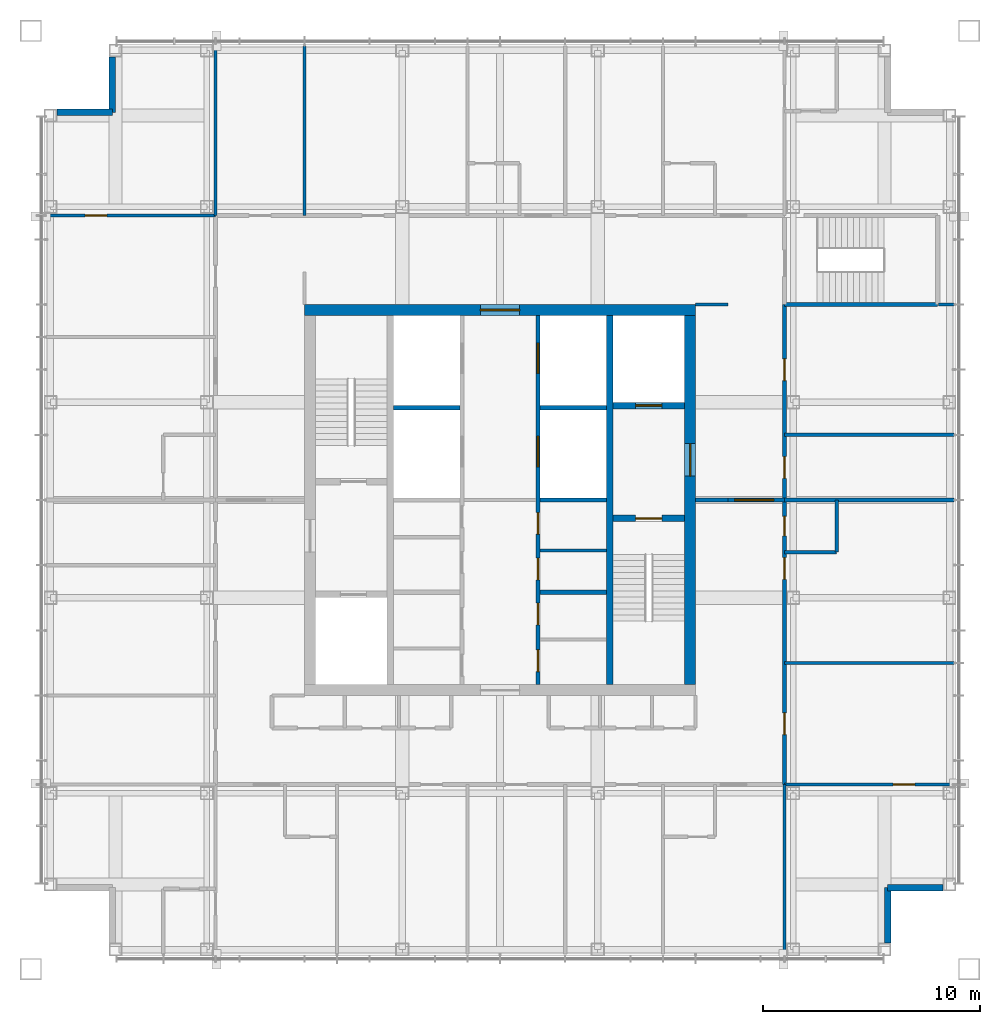
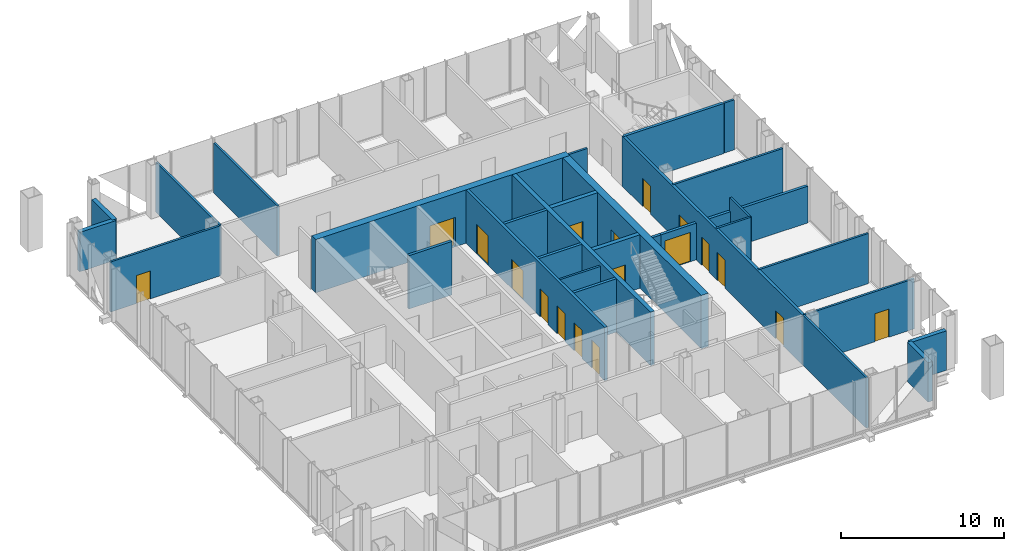
# One storey, part 9 of 11: 31 walls, 18 doors, 18 openings.
"""IFC4 building model written with IfcOpenShell, lengths in metres."""

import ifcopenshell
import ifcopenshell.guid

model = None  # the IFC model being written
_history = None  # IfcOwnerHistory: only IFC2X3 demands one
_inside = {}  # id of a spatial element -> (the spatial element, [elements in it])
_under = {}  # id of a project, library or spatial element -> (it, [spatial elements below it])
_declared = {}  # id of a project -> (the project, [libraries it declares])
_typed = {}  # id of a type object -> (the type object, [elements of that type])
_made_of = {}  # id of a material, layer set ... -> (it, [elements and type objects made of it])


def new_model(schema):
    """Start an empty IFC model of exactly this schema.

    Asked for "IFC4X3", IfcOpenShell would pick the latest addendum, in which some entities
    have other attributes; the version numbers below select the first issue.
    IFC2X3 requires an IfcOwnerHistory on every rooted entity: one is made here for all.
    """
    global model, _history
    if schema == "IFC4X3":
        model = ifcopenshell.file(schema_version=(4, 3, 0, 0))
    else:
        model = ifcopenshell.file(schema=schema)
    _inside.clear()
    _under.clear()
    _declared.clear()
    _typed.clear()
    _made_of.clear()
    _history = None
    if model.schema == "IFC2X3":
        org = make("IfcOrganization", Name="unknown")
        user = make(
            "IfcPersonAndOrganization",
            ThePerson=make("IfcPerson", FamilyName="unknown"),
            TheOrganization=org,
        )
        app = make(
            "IfcApplication",
            ApplicationDeveloper=org,
            Version="unknown",
            ApplicationFullName="unknown",
            ApplicationIdentifier="unknown",
        )
        _history = make(
            "IfcOwnerHistory",
            OwningUser=user,
            OwningApplication=app,
            ChangeAction="ADDED",
            CreationDate=0,
        )
    return model


def make(cls, **values):
    """One entity of the class cls with the attributes given. An attribute that is None is left unset."""
    return model.create_entity(
        cls, **{name: value for name, value in values.items() if value is not None}
    )


def rooted(cls, **values):
    """An entity with a GlobalId (a new one), such as an element, a storey or a relation."""
    return make(cls, GlobalId=ifcopenshell.guid.new(), OwnerHistory=_history, **values)


def si_unit(unit_type, name, prefix=None):
    """IfcSIUnit, for example si_unit("LENGTHUNIT", "METRE", prefix="MILLI")."""
    return make("IfcSIUnit", UnitType=unit_type, Prefix=prefix, Name=name)


def assignment(units):
    """IfcUnitAssignment: the units of a project."""
    return None if units is None else make("IfcUnitAssignment", Units=units)


def point(xyz):
    """IfcCartesianPoint."""
    return None if xyz is None else make("IfcCartesianPoint", Coordinates=xyz)


def direction(xyz):
    """IfcDirection."""
    return None if xyz is None else make("IfcDirection", DirectionRatios=xyz)


def frame(location, z_axis=None, x_axis=None):
    """IfcAxis2Placement3D, a coordinate frame: its origin and axes. An axis left out is left unset."""
    return make(
        "IfcAxis2Placement3D",
        Location=point(location),
        Axis=direction(z_axis),
        RefDirection=direction(x_axis),
    )


def frame_2d(location, x_axis=None):
    """IfcAxis2Placement2D, a coordinate frame in the plane: its origin and x axis."""
    return make(
        "IfcAxis2Placement2D", Location=point(location), RefDirection=direction(x_axis)
    )


def origin():
    """The frame at (0, 0, 0) with its axes left unset."""
    return frame((0.0, 0.0, 0.0))


def place(relative_to, where):
    """IfcLocalPlacement: puts the frame where relative to a parent placement (None: the world)."""
    return make(
        "IfcLocalPlacement", PlacementRelTo=relative_to, RelativePlacement=where
    )


def context(
    kind, dimensions, precision=None, world=None, true_north=None, identifier=None
):
    """IfcGeometricRepresentationContext, for example the 3D "Model" context."""
    return make(
        "IfcGeometricRepresentationContext",
        ContextIdentifier=identifier,
        ContextType=kind,
        CoordinateSpaceDimension=dimensions,
        Precision=precision,
        WorldCoordinateSystem=world,
        TrueNorth=true_north,
    )


def subcontext(parent, identifier, kind, view, scale=None):
    """IfcGeometricRepresentationSubContext, for example "Body" below "Model"."""
    return make(
        "IfcGeometricRepresentationSubContext",
        ContextIdentifier=identifier,
        ContextType=kind,
        ParentContext=parent,
        TargetScale=scale,
        TargetView=view,
    )


def project(units=None, contexts=None):
    """IfcProject with its units and contexts."""
    return rooted(
        "IfcProject",
        Name="project",
        RepresentationContexts=contexts,
        UnitsInContext=assignment(units),
    )


def spatial(cls, under=None, at=None, **own):
    """A site, building, storey or space (cls), placed at a placement, below another one or the project."""
    s = rooted(cls, ObjectPlacement=at, **own)
    if under is not None:
        _under.setdefault(under.id(), (under, []))[1].append(s)
    return s


def profile(cls, at=None, kind="AREA", **sizes):
    """A parametric profile (cls). Its sizes go by their IFC names, for example OverallWidth=200.0."""
    return make(cls, ProfileType=kind, Position=at, **sizes)


def rectangle(**sizes):
    """IfcRectangleProfileDef."""
    return profile("IfcRectangleProfileDef", **sizes)


def extrude(swept, where, along, depth):
    """IfcExtrudedAreaSolid: the profile swept, set in the frame where, extruded along a direction by depth."""
    return make(
        "IfcExtrudedAreaSolid",
        SweptArea=swept,
        Position=where,
        ExtrudedDirection=direction(along),
        Depth=depth,
    )


def shape(context_of_items, identifier, shape_type, items):
    """IfcShapeRepresentation: the items that make up one representation, for example the "Body"."""
    return make(
        "IfcShapeRepresentation",
        ContextOfItems=context_of_items,
        RepresentationIdentifier=identifier,
        RepresentationType=shape_type,
        Items=items,
    )


def material(Name=None, Category=None):
    """IfcMaterial."""
    return make("IfcMaterial", Name=Name, Category=Category)


def layer(
    of_material, thickness, ventilated=None, Name=None, Category=None, Priority=None
):
    """IfcMaterialLayer: one layer of a wall or slab, of a material (None: an air gap)."""
    return make(
        "IfcMaterialLayer",
        Material=of_material,
        LayerThickness=thickness,
        IsVentilated=ventilated,
        Name=Name,
        Category=Category,
        Priority=Priority,
    )


def layer_set(layers, Name=None):
    """IfcMaterialLayerSet."""
    return make("IfcMaterialLayerSet", MaterialLayers=layers, LayerSetName=Name)


def made_of(thing, what):
    """Note that an element or type object is made of a material, layer set ...; save() writes the relation."""
    if what is not None:
        _made_of.setdefault(what.id(), (what, []))[1].append(thing)
    return thing


def type_object(cls, material=None, **own):
    """A type object (cls), such as IfcWallType, which elements share."""
    return made_of(rooted(cls, **own), material)


def element(
    cls,
    number,
    at=None,
    inside=None,
    cuts=None,
    type_object=None,
    material=None,
    context=None,
    identifier="Body",
    shape_type=None,
    held_by="IfcProductDefinitionShape",
    body=None,
    shapes=None,
    **own,
):
    """One element of the class cls, such as IfcWall. Its Tag is "e" and its number.

    at: its placement. inside: the storey or other place that contains it. cuts: it is an
    opening in that element (IfcRelVoidsElement). A single representation is given by context,
    identifier, shape_type and body (its items); several are given by shapes. held_by: the class
    of the entity that holds the representations. save() writes the other relations.
    """
    e = rooted(cls, Tag="e%d" % number, ObjectPlacement=at, **own)
    if body is not None:
        shapes = [shape(context, identifier, shape_type, body)]
    if shapes is not None:
        e.Representation = make(held_by, Representations=shapes)
    if inside is not None:
        _inside.setdefault(inside.id(), (inside, []))[1].append(e)
    if cuts is not None:
        rooted(
            "IfcRelVoidsElement", RelatingBuildingElement=cuts, RelatedOpeningElement=e
        )
    if type_object is not None:
        _typed.setdefault(type_object.id(), (type_object, []))[1].append(e)
    return made_of(e, material)


def fill(opening, filler):
    """IfcRelFillsElement: the door or window that sits in an opening."""
    return rooted(
        "IfcRelFillsElement",
        RelatingOpeningElement=opening,
        RelatedBuildingElement=filler,
    )


def aggregate(whole, parts):
    """IfcRelAggregates: a whole, such as a stair, and the parts it consists of."""
    return rooted("IfcRelAggregates", RelatingObject=whole, RelatedObjects=parts)


def save(model, path):
    """Write the relations noted so far, then the file.

    IfcRelAggregates (storeys below a building ...), IfcRelContainedInSpatialStructure (elements
    in a storey), IfcRelDefinesByType, IfcRelAssociatesMaterial and IfcRelDeclares: one each for
    every whole, place, type object, material and project.
    """
    for whole, parts in _under.values():
        aggregate(whole, parts)
    for where, things in _inside.values():
        rooted(
            "IfcRelContainedInSpatialStructure",
            RelatedElements=things,
            RelatingStructure=where,
        )
    for kind, things in _typed.values():
        rooted("IfcRelDefinesByType", RelatedObjects=things, RelatingType=kind)
    for what, things in _made_of.values():
        rooted("IfcRelAssociatesMaterial", RelatedObjects=things, RelatingMaterial=what)
    for by, libraries in _declared.values():
        rooted("IfcRelDeclares", RelatingContext=by, RelatedDefinitions=libraries)
    model.write(path)


model = new_model("IFC4")

# Units and contexts
model_context = context("Model", 3, precision=1e-05, world=origin(), true_north=direction((0.0, 1.0)))
body_context = subcontext(model_context, "Body", "Model", "MODEL_VIEW")
ifc_project = project(units=[si_unit("LENGTHUNIT", "METRE"), si_unit("AREAUNIT", "SQUARE_METRE"), si_unit("VOLUMEUNIT", "CUBIC_METRE"), si_unit("PLANEANGLEUNIT", "RADIAN"), si_unit("MASSUNIT", "GRAM", prefix="KILO")], contexts=[model_context])

# Site, building, storey
site_placement = place(None, origin())
site = spatial("IfcSite", under=ifc_project, at=site_placement, CompositionType="ELEMENT")
building_placement = place(site_placement, origin())
building = spatial("IfcBuilding", under=site, at=building_placement, Name="Malebo Sky Hospital", CompositionType="ELEMENT")
storey_placement = place(building_placement, frame((0.0, 0.0, 282.0)))
storey = spatial("IfcBuildingStorey", under=building, at=storey_placement, Name="L68", CompositionType="ELEMENT", Elevation=282.0)

# Wall, openings, doors
ifc_material_1 = material(Name="Concrete C80/95", Category="concrete")
ifc_layer_1 = layer(ifc_material_1, 0.199951171875)
ifc_layer_set_1 = layer_set([ifc_layer_1], Name="CORE INNER WALL 200")
wall_type_1 = type_object("IfcWallType", Name="CORE INNER WALL 200", PredefinedType="SHEAR", material=ifc_layer_set_1)
wall_1_placement = place(storey_placement, frame((61.75, 53.5, 0.0), z_axis=(0.0, 0.0, 1.0), x_axis=(0.0, 1.0, 0.0)))
wall_1 = element("IfcWall", 1, at=wall_1_placement, inside=storey, type_object=wall_type_1, Name="Core wall LE L68", PredefinedType="SHEAR", context=body_context, shape_type="SweptSolid", body=[
    extrude(rectangle(XDim=17.0, YDim=0.199951171875, at=frame_2d((8.5, 0.0))), origin(), (0.0, 0.0, 1.0), 4.0),
])
opening_1_placement = place(wall_1_placement, frame((0.60009765625, 0.0, 0.0)))
opening_1 = element("IfcOpeningElement", 2, at=opening_1_placement, cuts=wall_1, Name="Opening D17", PredefinedType="OPENING", context=body_context, shape_type="SweptSolid", body=[
    extrude(rectangle(XDim=1.0, YDim=2.10009765625, at=frame_2d((0.5, 1.050048828125))), frame((0.0, 0.10986328125, 0.0), z_axis=(0.0, -1.0, 0.0), x_axis=(1.0, 0.0, 0.0)), (0.0, 0.0, 1.0), 0.219970703125),
])
opening_2_placement = place(wall_1_placement, frame((2.75, 0.0, 0.0)))
opening_2 = element("IfcOpeningElement", 3, at=opening_2_placement, cuts=wall_1, Name="Opening D17", PredefinedType="OPENING", context=body_context, shape_type="SweptSolid", body=[
    extrude(rectangle(XDim=1.0, YDim=2.10009765625, at=frame_2d((0.5, 1.050048828125))), frame((0.0, 0.10986328125, 0.0), z_axis=(0.0, -1.0, 0.0), x_axis=(1.0, 0.0, 0.0)), (0.0, 0.0, 1.0), 0.219970703125),
])
opening_3_placement = place(wall_1_placement, frame((4.823974609375, 0.0, 0.0)))
opening_3 = element("IfcOpeningElement", 4, at=opening_3_placement, cuts=wall_1, Name="Opening D17", PredefinedType="OPENING", context=body_context, shape_type="SweptSolid", body=[
    extrude(rectangle(XDim=1.0, YDim=2.10009765625, at=frame_2d((0.5, 1.050048828125))), frame((0.0, 0.10986328125, 0.0), z_axis=(0.0, -1.0, 0.0), x_axis=(1.0, 0.0, 0.0)), (0.0, 0.0, 1.0), 0.219970703125),
])
opening_4_placement = place(wall_1_placement, frame((6.924072265625, 0.0, 0.0)))
opening_4 = element("IfcOpeningElement", 5, at=opening_4_placement, cuts=wall_1, Name="Opening D17", PredefinedType="OPENING", context=body_context, shape_type="SweptSolid", body=[
    extrude(rectangle(XDim=1.0, YDim=2.10009765625, at=frame_2d((0.5, 1.050048828125))), frame((0.0, 0.10986328125, 0.0), z_axis=(0.0, -1.0, 0.0), x_axis=(1.0, 0.0, 0.0)), (0.0, 0.0, 1.0), 0.219970703125),
])
opening_5_placement = place(wall_1_placement, frame((10.02490234375, 0.0, 0.0)))
opening_5 = element("IfcOpeningElement", 6, at=opening_5_placement, cuts=wall_1, Name="Opening LD1", PredefinedType="OPENING", context=body_context, shape_type="SweptSolid", body=[
    extrude(rectangle(XDim=1.39990234375, YDim=2.199951171875, at=frame_2d((0.699951171875, 1.10009765625))), frame((0.0, 0.10986328125, 0.0), z_axis=(0.0, -1.0, 0.0), x_axis=(1.0, 0.0, 0.0)), (0.0, 0.0, 1.0), 0.219970703125),
])
opening_6_placement = place(wall_1_placement, frame((14.324951171875, 0.0, 0.0)))
opening_6 = element("IfcOpeningElement", 7, at=opening_6_placement, cuts=wall_1, Name="Opening LD1", PredefinedType="OPENING", context=body_context, shape_type="SweptSolid", body=[
    extrude(rectangle(XDim=1.39990234375, YDim=2.199951171875, at=frame_2d((0.699951171875, 1.10009765625))), frame((0.0, 0.10986328125, 0.0), z_axis=(0.0, -1.0, 0.0), x_axis=(1.0, 0.0, 0.0)), (0.0, 0.0, 1.0), 0.219970703125),
])
ifc_material_2 = material(Name="Hardwood-faced door leaf in steel frame", Category="steel")
door_type_1 = type_object("IfcDoorType", Name="FIRE DOOR 1000", OperationType="SINGLE_SWING_LEFT", PredefinedType="DOOR", material=ifc_material_2)
door_1_placement = place(opening_1_placement, origin())
door_1 = element("IfcDoor", 8, at=door_1_placement, inside=storey, type_object=door_type_1, Name="General store door", OperationType="SINGLE_SWING_RIGHT", OverallHeight=2.10009765625, OverallWidth=1.0, PredefinedType="DOOR", context=body_context, shape_type="SweptSolid", body=[
    extrude(rectangle(XDim=1.0, YDim=2.10009765625, at=frame_2d((0.5, 1.050048828125))), frame((0.0, 0.02490234375, 0.0), z_axis=(0.0, -1.0, 0.0), x_axis=(1.0, 0.0, 0.0)), (0.0, 0.0, 1.0), 0.050048828125),
])
fill(opening_1, door_1)
door_2_placement = place(opening_2_placement, origin())
door_2 = element("IfcDoor", 9, at=door_2_placement, inside=storey, type_object=door_type_1, Name="Records store door", OperationType="SINGLE_SWING_RIGHT", OverallHeight=2.10009765625, OverallWidth=1.0, PredefinedType="DOOR", context=body_context, shape_type="SweptSolid", body=[
    extrude(rectangle(XDim=1.0, YDim=2.10009765625, at=frame_2d((0.5, 1.050048828125))), frame((0.0, 0.02490234375, 0.0), z_axis=(0.0, -1.0, 0.0), x_axis=(1.0, 0.0, 0.0)), (0.0, 0.0, 1.0), 0.050048828125),
])
fill(opening_2, door_2)
door_3_placement = place(opening_3_placement, origin())
door_3 = element("IfcDoor", 10, at=door_3_placement, inside=storey, type_object=door_type_1, Name="Equipment store door", OperationType="SINGLE_SWING_RIGHT", OverallHeight=2.10009765625, OverallWidth=1.0, PredefinedType="DOOR", context=body_context, shape_type="SweptSolid", body=[
    extrude(rectangle(XDim=1.0, YDim=2.10009765625, at=frame_2d((0.5, 1.050048828125))), frame((0.0, 0.02490234375, 0.0), z_axis=(0.0, -1.0, 0.0), x_axis=(1.0, 0.0, 0.0)), (0.0, 0.0, 1.0), 0.050048828125),
])
fill(opening_3, door_3)
door_4_placement = place(opening_4_placement, origin())
door_4 = element("IfcDoor", 11, at=door_4_placement, inside=storey, type_object=door_type_1, Name="Linen store door", OperationType="SINGLE_SWING_RIGHT", OverallHeight=2.10009765625, OverallWidth=1.0, PredefinedType="DOOR", context=body_context, shape_type="SweptSolid", body=[
    extrude(rectangle(XDim=1.0, YDim=2.10009765625, at=frame_2d((0.5, 1.050048828125))), frame((0.0, 0.02490234375, 0.0), z_axis=(0.0, -1.0, 0.0), x_axis=(1.0, 0.0, 0.0)), (0.0, 0.0, 1.0), 0.050048828125),
])
fill(opening_4, door_4)
ifc_material_3 = material(Name="Stainless steel sliding landing door", Category="steel")
door_type_2 = type_object("IfcDoorType", Name="LIFT LANDING DOOR 1400", OperationType="SLIDING_TO_LEFT", PredefinedType="DOOR", material=ifc_material_3)
door_5_placement = place(opening_5_placement, origin())
door_5 = element("IfcDoor", 12, at=door_5_placement, inside=storey, type_object=door_type_2, Name="Lift E3 landing door", OperationType="SLIDING_TO_LEFT", OverallHeight=2.199951171875, OverallWidth=1.39990234375, PredefinedType="DOOR", context=body_context, shape_type="SweptSolid", body=[
    extrude(rectangle(XDim=1.39990234375, YDim=2.199951171875, at=frame_2d((0.699951171875, 1.10009765625))), frame((0.0, 0.02490234375, 0.0), z_axis=(0.0, -1.0, 0.0), x_axis=(1.0, 0.0, 0.0)), (0.0, 0.0, 1.0), 0.050048828125),
])
fill(opening_5, door_5)
door_6_placement = place(opening_6_placement, origin())
door_6 = element("IfcDoor", 13, at=door_6_placement, inside=storey, type_object=door_type_2, Name="Lift E4 landing door", OperationType="SLIDING_TO_LEFT", OverallHeight=2.199951171875, OverallWidth=1.39990234375, PredefinedType="DOOR", context=body_context, shape_type="SweptSolid", body=[
    extrude(rectangle(XDim=1.39990234375, YDim=2.199951171875, at=frame_2d((0.699951171875, 1.10009765625))), frame((0.0, 0.02490234375, 0.0), z_axis=(0.0, -1.0, 0.0), x_axis=(1.0, 0.0, 0.0)), (0.0, 0.0, 1.0), 0.050048828125),
])
fill(opening_6, door_6)

# Walls
for number, where, z_axis, x_axis, name in (
    (14, (61.85009765625, 57.75, 0.0), (0.0, 0.0, 1.0), (1.0, 0.0, 0.0), "Core wall SE0 L68"),
    (15, (61.85009765625, 62.0, 0.0), (0.0, 0.0, 1.0), (1.0, 0.0, 0.0), "Core wall SE1 L68"),
    (16, (55.10009765625, 66.25, 0.0), (0.0, 0.0, 1.0), (1.0, 0.0, 0.0), "Core wall SW2 L68"),
    (17, (61.85009765625, 66.25, 0.0), (0.0, 0.0, 1.0), (1.0, 0.0, 0.0), "Core wall SE2 L68"),
):
    element("IfcWall", number, at=place(storey_placement, frame(where, z_axis=z_axis, x_axis=x_axis)), inside=storey, type_object=wall_type_1, Name=name, PredefinedType="SHEAR", context=body_context, shape_type="SweptSolid", body=[
        extrude(rectangle(XDim=3.0498046875, YDim=0.199951171875, at=frame_2d((1.52490234375, 0.0))), origin(), (0.0, 0.0, 1.0), 4.0),
    ])
ifc_layer_2 = layer(ifc_material_1, 0.300048828125)
ifc_layer_set_2 = layer_set([ifc_layer_2], Name="CORE INNER WALL 300")
wall_type_2 = type_object("IfcWallType", Name="CORE INNER WALL 300", PredefinedType="SHEAR", material=ifc_layer_set_2)
wall_2_placement = place(storey_placement, frame((65.050048828125, 53.5, 0.0), z_axis=(0.0, 0.0, 1.0), x_axis=(0.0, 1.0, 0.0)))
element("IfcWall", 18, at=wall_2_placement, inside=storey, type_object=wall_type_2, Name="Core wall XE L68", PredefinedType="SHEAR", context=body_context, shape_type="SweptSolid", body=[
    extrude(rectangle(XDim=17.0, YDim=0.300048828125, at=frame_2d((8.5, 0.0))), origin(), (0.0, 0.0, 1.0), 4.0),
])

# Wall, opening, door
wall_3_placement = place(storey_placement, frame((65.199951171875, 61.14990234375, 0.0), z_axis=(0.0, 0.0, 1.0), x_axis=(1.0, 0.0, 0.0)))
wall_3 = element("IfcWall", 19, at=wall_3_placement, inside=storey, type_object=wall_type_2, Name="Core wall E1 L68", PredefinedType="SHEAR", context=body_context, shape_type="SweptSolid", body=[
    extrude(rectangle(XDim=3.300048828125, YDim=0.300048828125, at=frame_2d((1.64990234375, 0.0))), origin(), (0.0, 0.0, 1.0), 4.0),
])
opening_7_placement = place(wall_3_placement, frame((1.050048828125, 0.0, 0.0)))
opening_7 = element("IfcOpeningElement", 20, at=opening_7_placement, cuts=wall_3, Name="Opening D08", PredefinedType="OPENING", context=body_context, shape_type="SweptSolid", body=[
    extrude(rectangle(XDim=1.199951171875, YDim=2.10009765625, at=frame_2d((0.60009765625, 1.050048828125))), frame((0.0, 0.159912109375, 0.0), z_axis=(0.0, -1.0, 0.0), x_axis=(1.0, 0.0, 0.0)), (0.0, 0.0, 1.0), 0.320068359375),
])
door_type_3 = type_object("IfcDoorType", Name="STAIR DOOR 1200", OperationType="SINGLE_SWING_LEFT", PredefinedType="DOOR", material=ifc_material_2)
door_7_placement = place(opening_7_placement, origin())
door_7 = element("IfcDoor", 21, at=door_7_placement, inside=storey, type_object=door_type_3, Name="Stair S2 door", OperationType="SINGLE_SWING_LEFT", OverallHeight=2.10009765625, OverallWidth=1.199951171875, PredefinedType="DOOR", context=body_context, shape_type="SweptSolid", body=[
    extrude(rectangle(XDim=1.199951171875, YDim=2.10009765625, at=frame_2d((0.60009765625, 1.050048828125))), frame((0.0, 0.02490234375, 0.0), z_axis=(0.0, -1.0, 0.0), x_axis=(1.0, 0.0, 0.0)), (0.0, 0.0, 1.0), 0.050048828125),
])
fill(opening_7, door_7)

wall_4_placement = place(storey_placement, frame((65.199951171875, 66.35009765625, 0.0), z_axis=(0.0, 0.0, 1.0), x_axis=(1.0, 0.0, 0.0)))
wall_4 = element("IfcWall", 22, at=wall_4_placement, inside=storey, type_object=wall_type_2, Name="Core wall E2 L68", PredefinedType="SHEAR", context=body_context, shape_type="SweptSolid", body=[
    extrude(rectangle(XDim=3.300048828125, YDim=0.300048828125, at=frame_2d((1.64990234375, 0.0))), origin(), (0.0, 0.0, 1.0), 4.0),
])
opening_8_placement = place(wall_4_placement, frame((1.050048828125, 0.0, 0.0)))
opening_8 = element("IfcOpeningElement", 23, at=opening_8_placement, cuts=wall_4, Name="Opening LD2", PredefinedType="OPENING", context=body_context, shape_type="SweptSolid", body=[
    extrude(rectangle(XDim=1.199951171875, YDim=2.199951171875, at=frame_2d((0.60009765625, 1.10009765625))), frame((0.0, 0.159912109375, 0.0), z_axis=(0.0, -1.0, 0.0), x_axis=(1.0, 0.0, 0.0)), (0.0, 0.0, 1.0), 0.320068359375),
])
door_type_4 = type_object("IfcDoorType", Name="FIRE-FIGHTING LIFT LANDING DOOR 1200", OperationType="SLIDING_TO_LEFT", PredefinedType="DOOR", material=ifc_material_3)
door_8_placement = place(opening_8_placement, origin())
door_8 = element("IfcDoor", 24, at=door_8_placement, inside=storey, type_object=door_type_4, Name="Lift FL2 landing door", OperationType="SLIDING_TO_LEFT", OverallHeight=2.199951171875, OverallWidth=1.199951171875, PredefinedType="DOOR", context=body_context, shape_type="SweptSolid", body=[
    extrude(rectangle(XDim=1.199951171875, YDim=2.199951171875, at=frame_2d((0.60009765625, 1.10009765625))), frame((0.0, 0.02490234375, 0.0), z_axis=(0.0, -1.0, 0.0), x_axis=(1.0, 0.0, 0.0)), (0.0, 0.0, 1.0), 0.050048828125),
])
fill(opening_8, door_8)

ifc_layer_3 = layer(ifc_material_1, 0.5)
ifc_layer_set_3 = layer_set([ifc_layer_3], Name="CORE WALL 500")
wall_type_3 = type_object("IfcWallType", Name="CORE WALL 500", PredefinedType="SHEAR", material=ifc_layer_set_3)
wall_5_placement = place(storey_placement, frame((51.0, 70.75, 0.0), z_axis=(0.0, 0.0, 1.0), x_axis=(1.0, 0.0, 0.0)))
wall_5 = element("IfcWall", 25, at=wall_5_placement, inside=storey, type_object=wall_type_3, Name="Core wall N L68", PredefinedType="SHEAR", context=body_context, shape_type="SweptSolid", body=[
    extrude(rectangle(XDim=18.0, YDim=0.5, at=frame_2d((9.0, 0.0))), origin(), (0.0, 0.0, 1.0), 4.0),
])
opening_9_placement = place(wall_5_placement, frame((8.10009765625, 0.0, 0.0)))
opening_9 = element("IfcOpeningElement", 26, at=opening_9_placement, cuts=wall_5, Name="Opening D06", PredefinedType="OPENING", context=body_context, shape_type="SweptSolid", body=[
    extrude(rectangle(XDim=1.800048828125, YDim=2.199951171875, at=frame_2d((0.89990234375, 1.10009765625))), frame((0.0, 0.260009765625, 0.0), z_axis=(0.0, -1.0, 0.0), x_axis=(1.0, 0.0, 0.0)), (0.0, 0.0, 1.0), 0.52001953125),
])
door_type_5 = type_object("IfcDoorType", Name="LOBBY DOOR PAIR 1800", OperationType="DOUBLE_DOOR_SINGLE_SWING", PredefinedType="DOOR", material=ifc_material_2)
door_9_placement = place(opening_9_placement, origin())
door_9 = element("IfcDoor", 27, at=door_9_placement, inside=storey, type_object=door_type_5, Name="Lift lobby door north", OperationType="DOUBLE_DOOR_SINGLE_SWING", OverallHeight=2.199951171875, OverallWidth=1.800048828125, PredefinedType="DOOR", context=body_context, shape_type="SweptSolid", body=[
    extrude(rectangle(XDim=1.800048828125, YDim=2.199951171875, at=frame_2d((0.89990234375, 1.10009765625))), frame((0.0, 0.02490234375, 0.0), z_axis=(0.0, -1.0, 0.0), x_axis=(1.0, 0.0, 0.0)), (0.0, 0.0, 1.0), 0.050048828125),
])
fill(opening_9, door_9)

wall_6_placement = place(storey_placement, frame((68.75, 53.5, 0.0), z_axis=(0.0, 0.0, 1.0), x_axis=(0.0, 1.0, 0.0)))
wall_6 = element("IfcWall", 28, at=wall_6_placement, inside=storey, type_object=wall_type_3, Name="Core wall E L68", PredefinedType="SHEAR", context=body_context, shape_type="SweptSolid", body=[
    extrude(rectangle(XDim=17.0, YDim=0.5, at=frame_2d((8.5, 0.0))), origin(), (0.0, 0.0, 1.0), 4.0),
])
opening_10_placement = place(wall_6_placement, frame((9.60009765625, 0.0, 0.0)))
opening_10 = element("IfcOpeningElement", 29, at=opening_10_placement, cuts=wall_6, Name="Opening D07", PredefinedType="OPENING", context=body_context, shape_type="SweptSolid", body=[
    extrude(rectangle(XDim=1.5, YDim=2.199951171875, at=frame_2d((0.75, 1.10009765625))), frame((0.0, 0.260009765625, 0.0), z_axis=(0.0, -1.0, 0.0), x_axis=(1.0, 0.0, 0.0)), (0.0, 0.0, 1.0), 0.52001953125),
])
door_type_6 = type_object("IfcDoorType", Name="FIRE-FIGHTING LOBBY DOOR PAIR 1500", OperationType="DOUBLE_DOOR_SINGLE_SWING", PredefinedType="DOOR", material=ifc_material_2)
door_10_placement = place(opening_10_placement, origin())
door_10 = element("IfcDoor", 30, at=door_10_placement, inside=storey, type_object=door_type_6, Name="Fire-fighting lobby door east", OperationType="DOUBLE_DOOR_SINGLE_SWING", OverallHeight=2.199951171875, OverallWidth=1.5, PredefinedType="DOOR", context=body_context, shape_type="SweptSolid", body=[
    extrude(rectangle(XDim=1.5, YDim=2.199951171875, at=frame_2d((0.75, 1.10009765625))), frame((0.0, 0.02490234375, 0.0), z_axis=(0.0, -1.0, 0.0), x_axis=(1.0, 0.0, 0.0)), (0.0, 0.0, 1.0), 0.050048828125),
])
fill(opening_10, door_10)

# Wall, openings, doors
ifc_material_4 = material(Name="Gypsum board on steel studs", Category="steel")
ifc_layer_4 = layer(ifc_material_4, 0.199951171875)
ifc_layer_set_4 = layer_set([ifc_layer_4], Name="CORRIDOR WALL 200")
wall_type_4 = type_object("IfcWallType", Name="CORRIDOR WALL 200", PredefinedType="PARTITIONING", material=ifc_layer_set_4)
wall_7_placement = place(storey_placement, frame((73.10009765625, 71.0, 0.0), z_axis=(0.0, 0.0, 1.0), x_axis=(0.0, -1.0, 0.0)))
wall_7 = element("IfcWall", 31, at=wall_7_placement, inside=storey, type_object=wall_type_4, Name="Corridor Wall 200 ECO", PredefinedType="PARTITIONING", context=body_context, shape_type="SweptSolid", body=[
    extrude(rectangle(XDim=22.10009765625, YDim=0.199951171875, at=frame_2d((11.050048828125, 0.0))), origin(), (0.0, 0.0, 1.0), 3.75),
])
opening_11_placement = place(wall_7_placement, frame((2.5, 0.0, 0.0)))
opening_11 = element("IfcOpeningElement", 32, at=opening_11_placement, cuts=wall_7, Name="Opening D03", PredefinedType="OPENING", context=body_context, shape_type="SweptSolid", body=[
    extrude(rectangle(XDim=1.0, YDim=2.10009765625, at=frame_2d((0.5, 1.050048828125))), frame((0.0, 0.10986328125, 0.0), z_axis=(0.0, -1.0, 0.0), x_axis=(1.0, 0.0, 0.0)), (0.0, 0.0, 1.0), 0.219970703125),
])
opening_12_placement = place(wall_7_placement, frame((7.0, 0.0, 0.0)))
opening_12 = element("IfcOpeningElement", 33, at=opening_12_placement, cuts=wall_7, Name="Opening D03", PredefinedType="OPENING", context=body_context, shape_type="SweptSolid", body=[
    extrude(rectangle(XDim=1.0, YDim=2.10009765625, at=frame_2d((0.5, 1.050048828125))), frame((0.0, 0.10986328125, 0.0), z_axis=(0.0, -1.0, 0.0), x_axis=(1.0, 0.0, 0.0)), (0.0, 0.0, 1.0), 0.219970703125),
])
opening_13_placement = place(wall_7_placement, frame((9.75, 0.0, 0.0)))
opening_13 = element("IfcOpeningElement", 34, at=opening_13_placement, cuts=wall_7, Name="Opening D04", PredefinedType="OPENING", context=body_context, shape_type="SweptSolid", body=[
    extrude(rectangle(XDim=0.89990234375, YDim=2.10009765625, at=frame_2d((0.449951171875, 1.050048828125))), frame((0.0, 0.10986328125, 0.0), z_axis=(0.0, -1.0, 0.0), x_axis=(1.0, 0.0, 0.0)), (0.0, 0.0, 1.0), 0.219970703125),
])
opening_14_placement = place(wall_7_placement, frame((11.64990234375, 0.0, 0.0)))
opening_14 = element("IfcOpeningElement", 35, at=opening_14_placement, cuts=wall_7, Name="Opening D03", PredefinedType="OPENING", context=body_context, shape_type="SweptSolid", body=[
    extrude(rectangle(XDim=1.0, YDim=2.10009765625, at=frame_2d((0.5, 1.050048828125))), frame((0.0, 0.10986328125, 0.0), z_axis=(0.0, -1.0, 0.0), x_axis=(1.0, 0.0, 0.0)), (0.0, 0.0, 1.0), 0.219970703125),
])
opening_15_placement = place(wall_7_placement, frame((18.800048828125, 0.0, 0.0)))
opening_15 = element("IfcOpeningElement", 36, at=opening_15_placement, cuts=wall_7, Name="Opening D03", PredefinedType="OPENING", context=body_context, shape_type="SweptSolid", body=[
    extrude(rectangle(XDim=1.0, YDim=2.10009765625, at=frame_2d((0.5, 1.050048828125))), frame((0.0, 0.10986328125, 0.0), z_axis=(0.0, -1.0, 0.0), x_axis=(1.0, 0.0, 0.0)), (0.0, 0.0, 1.0), 0.219970703125),
])
door_type_7 = type_object("IfcDoorType", Name="ROOM DOOR 1000", OperationType="SINGLE_SWING_LEFT", PredefinedType="DOOR", material=ifc_material_2)
door_11_placement = place(opening_11_placement, origin())
door_11 = element("IfcDoor", 37, at=door_11_placement, inside=storey, type_object=door_type_7, Name="Relatives' kitchen door", OperationType="SINGLE_SWING_LEFT", OverallHeight=2.10009765625, OverallWidth=1.0, PredefinedType="DOOR", context=body_context, shape_type="SweptSolid", body=[
    extrude(rectangle(XDim=1.0, YDim=2.10009765625, at=frame_2d((0.5, 1.050048828125))), frame((0.0, 0.02490234375, 0.0), z_axis=(0.0, -1.0, 0.0), x_axis=(1.0, 0.0, 0.0)), (0.0, 0.0, 1.0), 0.050048828125),
])
fill(opening_11, door_11)
door_12_placement = place(opening_12_placement, origin())
door_12 = element("IfcDoor", 38, at=door_12_placement, inside=storey, type_object=door_type_7, Name="Quiet room door", OperationType="SINGLE_SWING_RIGHT", OverallHeight=2.10009765625, OverallWidth=1.0, PredefinedType="DOOR", context=body_context, shape_type="SweptSolid", body=[
    extrude(rectangle(XDim=1.0, YDim=2.10009765625, at=frame_2d((0.5, 1.050048828125))), frame((0.0, 0.02490234375, 0.0), z_axis=(0.0, -1.0, 0.0), x_axis=(1.0, 0.0, 0.0)), (0.0, 0.0, 1.0), 0.050048828125),
])
fill(opening_12, door_12)
door_13_placement = place(opening_14_placement, origin())
door_13 = element("IfcDoor", 39, at=door_13_placement, inside=storey, type_object=door_type_7, Name="Staff rest room door", OperationType="SINGLE_SWING_LEFT", OverallHeight=2.10009765625, OverallWidth=1.0, PredefinedType="DOOR", context=body_context, shape_type="SweptSolid", body=[
    extrude(rectangle(XDim=1.0, YDim=2.10009765625, at=frame_2d((0.5, 1.050048828125))), frame((0.0, 0.02490234375, 0.0), z_axis=(0.0, -1.0, 0.0), x_axis=(1.0, 0.0, 0.0)), (0.0, 0.0, 1.0), 0.050048828125),
])
fill(opening_14, door_13)
door_14_placement = place(opening_15_placement, origin())
door_14 = element("IfcDoor", 40, at=door_14_placement, inside=storey, type_object=door_type_7, Name="Patient lounge door", OperationType="SINGLE_SWING_RIGHT", OverallHeight=2.10009765625, OverallWidth=1.0, PredefinedType="DOOR", context=body_context, shape_type="SweptSolid", body=[
    extrude(rectangle(XDim=1.0, YDim=2.10009765625, at=frame_2d((0.5, 1.050048828125))), frame((0.0, 0.02490234375, 0.0), z_axis=(0.0, -1.0, 0.0), x_axis=(1.0, 0.0, 0.0)), (0.0, 0.0, 1.0), 0.050048828125),
])
fill(opening_15, door_14)
door_type_8 = type_object("IfcDoorType", Name="ROOM DOOR 900", OperationType="SINGLE_SWING_LEFT", PredefinedType="DOOR", material=ifc_material_2)
door_15_placement = place(opening_13_placement, origin())
door_15 = element("IfcDoor", 41, at=door_15_placement, inside=storey, type_object=door_type_8, Name="Accessible WC door", OperationType="SINGLE_SWING_LEFT", OverallHeight=2.10009765625, OverallWidth=0.89990234375, PredefinedType="DOOR", context=body_context, shape_type="SweptSolid", body=[
    extrude(rectangle(XDim=0.89990234375, YDim=2.10009765625, at=frame_2d((0.449951171875, 1.050048828125))), frame((0.0, 0.02490234375, 0.0), z_axis=(0.0, -1.0, 0.0), x_axis=(1.0, 0.0, 0.0)), (0.0, 0.0, 1.0), 0.050048828125),
])
fill(opening_13, door_15)

# Walls
ifc_material_5 = material(Name="Anodised aluminium rainscreen on steel framing", Category="steel")
ifc_layer_5 = layer(ifc_material_5, 0.300048828125)
ifc_layer_set_5 = layer_set([ifc_layer_5], Name="NOTCH RAINSCREEN WALL 300")
wall_type_5 = type_object("IfcWallType", Name="NOTCH RAINSCREEN WALL 300", PredefinedType="ELEMENTEDWALL", material=ifc_layer_set_5)
for number, where, z_axis, x_axis, name in (
    (42, (39.60009765625, 79.85009765625, 0.0), (0.0, 0.0, 1.0), (1.0, 0.0, 0.0), "Notch rainscreen wall W1 L68"),
    (43, (42.14990234375, 79.85009765625, 0.0), (0.0, 0.0, 1.0), (0.0, 1.0, 0.0), "Notch rainscreen wall W2 L68"),
    (44, (80.39990234375, 44.14990234375, 0.0), (0.0, 0.0, 1.0), (-1.0, 0.0, 0.0), "Notch rainscreen wall E1 L68"),
    (45, (77.85009765625, 44.14990234375, 0.0), (0.0, 0.0, 1.0), (0.0, -1.0, 0.0), "Notch rainscreen wall E2 L68"),
):
    element("IfcWall", number, at=place(storey_placement, frame(where, z_axis=z_axis, x_axis=x_axis)), inside=storey, type_object=wall_type_5, Name=name, PredefinedType="ELEMENTEDWALL", context=body_context, shape_type="SweptSolid", body=[
        extrude(rectangle(XDim=2.5498046875, YDim=0.300048828125, at=frame_2d((1.27490234375, 0.0))), origin(), (0.0, 0.0, 1.0), 2.949951171875),
    ])
ifc_layer_6 = layer(ifc_material_4, 0.14990234375)
ifc_layer_set_6 = layer_set([ifc_layer_6], Name="PARTITION 150")
wall_type_6 = type_object("IfcWallType", Name="PARTITION 150", PredefinedType="PARTITIONING", material=ifc_layer_set_6)
for number, where, z_axis, x_axis, name in (
    (46, (51.0, 75.10009765625, 0.0), (0.0, 0.0, 1.0), (0.0, 1.0, 0.0), "Partition 150 NP-9.0"),
    (47, (46.89990234375, 75.10009765625, 0.0), (0.0, 0.0, 1.0), (0.0, 1.0, 0.0), "Partition 150 NP0"),
):
    element("IfcWall", number, at=place(storey_placement, frame(where, z_axis=z_axis, x_axis=x_axis)), inside=storey, type_object=wall_type_6, Name=name, PredefinedType="PARTITIONING", context=body_context, shape_type="SweptSolid", body=[
        extrude(rectangle(XDim=7.7998046875, YDim=0.14990234375, at=frame_2d((3.89990234375, 0.0))), origin(), (0.0, 0.0, 1.0), 3.75),
    ])

# Wall, opening, door
wall_8_placement = place(storey_placement, frame((46.89990234375, 75.10009765625, 0.0), z_axis=(0.0, 0.0, 1.0), x_axis=(-1.0, 0.0, 0.0)))
wall_8 = element("IfcWall", 48, at=wall_8_placement, inside=storey, type_object=wall_type_6, Name="Partition 150 WK", PredefinedType="PARTITIONING", context=body_context, shape_type="SweptSolid", body=[
    extrude(rectangle(XDim=7.7998046875, YDim=0.14990234375, at=frame_2d((3.89990234375, 0.0))), origin(), (0.0, 0.0, 1.0), 3.75),
])
opening_16_placement = place(wall_8_placement, frame((5.0, 0.0, 0.0)))
opening_16 = element("IfcOpeningElement", 49, at=opening_16_placement, cuts=wall_8, Name="Opening D03", PredefinedType="OPENING", context=body_context, shape_type="SweptSolid", body=[
    extrude(rectangle(XDim=1.0, YDim=2.10009765625, at=frame_2d((0.5, 1.050048828125))), frame((0.0, 0.0849609375, 0.0), z_axis=(0.0, -1.0, 0.0), x_axis=(1.0, 0.0, 0.0)), (0.0, 0.0, 1.0), 0.169921875),
])
door_16_placement = place(opening_16_placement, origin())
door_16 = element("IfcDoor", 50, at=door_16_placement, inside=storey, type_object=door_type_7, Name="Family kitchen door", OperationType="SINGLE_SWING_RIGHT", OverallHeight=2.10009765625, OverallWidth=1.0, PredefinedType="DOOR", context=body_context, shape_type="SweptSolid", body=[
    extrude(rectangle(XDim=1.0, YDim=2.10009765625, at=frame_2d((0.5, 1.050048828125))), frame((0.0, 0.02490234375, 0.0), z_axis=(0.0, -1.0, 0.0), x_axis=(1.0, 0.0, 0.0)), (0.0, 0.0, 1.0), 0.050048828125),
])
fill(opening_16, door_16)

# Walls
wall_9_placement = place(storey_placement, frame((73.10009765625, 48.89990234375, 0.0), z_axis=(0.0, 0.0, 1.0), x_axis=(0.0, -1.0, 0.0)))
element("IfcWall", 51, at=wall_9_placement, inside=storey, type_object=wall_type_6, Name="Partition 150 SP0", PredefinedType="PARTITIONING", context=body_context, shape_type="SweptSolid", body=[
    extrude(rectangle(XDim=7.7998046875, YDim=0.14990234375, at=frame_2d((3.89990234375, 0.0))), origin(), (0.0, 0.0, 1.0), 3.75),
])
wall_10_placement = place(storey_placement, frame((80.199951171875, 71.0, 0.0), z_axis=(0.0, 0.0, 1.0), x_axis=(1.0, 0.0, 0.0)))
element("IfcWall", 52, at=wall_10_placement, inside=storey, type_object=wall_type_6, Name="Partition 150 EP-9.0", PredefinedType="PARTITIONING", context=body_context, shape_type="SweptSolid", body=[
    extrude(rectangle(XDim=0.699951171875, YDim=0.14990234375, at=frame_2d((0.35009765625, 0.0))), origin(), (0.0, 0.0, 1.0), 3.75),
])
for number, where, z_axis, x_axis, name in (
    (53, (73.10009765625, 65.0, 0.0), (0.0, 0.0, 1.0), (1.0, 0.0, 0.0), "Partition 150 EP-3.0"),
    (54, (73.10009765625, 54.5, 0.0), (0.0, 0.0, 1.0), (1.0, 0.0, 0.0), "Partition 150 EP+7.5"),
):
    element("IfcWall", number, at=place(storey_placement, frame(where, z_axis=z_axis, x_axis=x_axis)), inside=storey, type_object=wall_type_6, Name=name, PredefinedType="PARTITIONING", context=body_context, shape_type="SweptSolid", body=[
        extrude(rectangle(XDim=7.7998046875, YDim=0.14990234375, at=frame_2d((3.89990234375, 0.0))), origin(), (0.0, 0.0, 1.0), 3.75),
    ])
for number, where, z_axis, x_axis, name in (
    (55, (75.5, 62.0, 0.0), (0.0, 0.0, 1.0), (0.0, -1.0, 0.0), "Partition 150 EC3F"),
    (56, (73.10009765625, 59.60009765625, 0.0), (0.0, 0.0, 1.0), (1.0, 0.0, 0.0), "Partition 150 EC3S"),
):
    element("IfcWall", number, at=place(storey_placement, frame(where, z_axis=z_axis, x_axis=x_axis)), inside=storey, type_object=wall_type_6, Name=name, PredefinedType="PARTITIONING", context=body_context, shape_type="SweptSolid", body=[
        extrude(rectangle(XDim=2.39990234375, YDim=0.14990234375, at=frame_2d((1.199951171875, 0.0))), origin(), (0.0, 0.0, 1.0), 3.75),
    ])

# Wall, opening, door
wall_11_placement = place(storey_placement, frame((73.10009765625, 48.89990234375, 0.0), z_axis=(0.0, 0.0, 1.0), x_axis=(1.0, 0.0, 0.0)))
wall_11 = element("IfcWall", 57, at=wall_11_placement, inside=storey, type_object=wall_type_6, Name="Partition 150 EK", PredefinedType="PARTITIONING", context=body_context, shape_type="SweptSolid", body=[
    extrude(rectangle(XDim=7.7998046875, YDim=0.14990234375, at=frame_2d((3.89990234375, 0.0))), origin(), (0.0, 0.0, 1.0), 3.75),
])
opening_17_placement = place(wall_11_placement, frame((5.0, 0.0, 0.0)))
opening_17 = element("IfcOpeningElement", 58, at=opening_17_placement, cuts=wall_11, Name="Opening D03", PredefinedType="OPENING", context=body_context, shape_type="SweptSolid", body=[
    extrude(rectangle(XDim=1.0, YDim=2.10009765625, at=frame_2d((0.5, 1.050048828125))), frame((0.0, 0.0849609375, 0.0), z_axis=(0.0, -1.0, 0.0), x_axis=(1.0, 0.0, 0.0)), (0.0, 0.0, 1.0), 0.169921875),
])
door_17_placement = place(opening_17_placement, origin())
door_17 = element("IfcDoor", 59, at=door_17_placement, inside=storey, type_object=door_type_7, Name="Quiet room door", OperationType="SINGLE_SWING_RIGHT", OverallHeight=2.10009765625, OverallWidth=1.0, PredefinedType="DOOR", context=body_context, shape_type="SweptSolid", body=[
    extrude(rectangle(XDim=1.0, YDim=2.10009765625, at=frame_2d((0.5, 1.050048828125))), frame((0.0, 0.02490234375, 0.0), z_axis=(0.0, -1.0, 0.0), x_axis=(1.0, 0.0, 0.0)), (0.0, 0.0, 1.0), 0.050048828125),
])
fill(opening_17, door_17)

# Walls
wall_12_placement = place(storey_placement, frame((69.0, 71.0, 0.0), z_axis=(0.0, 0.0, 1.0), x_axis=(1.0, 0.0, 0.0)))
element("IfcWall", 60, at=wall_12_placement, inside=storey, type_object=wall_type_6, Name="Partition 150 ESP0", PredefinedType="PARTITIONING", context=body_context, shape_type="SweptSolid", body=[
    extrude(rectangle(XDim=1.5, YDim=0.14990234375, at=frame_2d((0.75, 0.0))), origin(), (0.0, 0.0, 1.0), 3.75),
])
wall_13_placement = place(storey_placement, frame((61.85009765625, 59.673095703125, 0.0), z_axis=(0.0, 0.0, 1.0), x_axis=(1.0, 0.0, 0.0)))
element("IfcWall", 61, at=wall_13_placement, inside=storey, type_object=wall_type_6, Name="Partition 150 SHE2", PredefinedType="PARTITIONING", context=body_context, shape_type="SweptSolid", body=[
    extrude(rectangle(XDim=3.0498046875, YDim=0.14990234375, at=frame_2d((1.52490234375, 0.0))), origin(), (0.0, 0.0, 1.0), 3.75),
])
ifc_material_6 = material(Name="Concrete blockwork", Category="masonry")
ifc_layer_7 = layer(ifc_material_6, 0.199951171875)
ifc_layer_set_7 = layer_set([ifc_layer_7], Name="SMOKE BARRIER WALL 200")
wall_type_7 = type_object("IfcWallType", Name="SMOKE BARRIER WALL 200", PredefinedType="SOLIDWALL", material=ifc_layer_set_7)
wall_14_placement = place(storey_placement, frame((73.10009765625, 62.0, 0.0), z_axis=(0.0, 0.0, 1.0), x_axis=(1.0, 0.0, 0.0)))
element("IfcWall", 62, at=wall_14_placement, inside=storey, type_object=wall_type_7, Name="Smoke Barrier Wall 200 EP+0.0", PredefinedType="SOLIDWALL", context=body_context, shape_type="SweptSolid", body=[
    extrude(rectangle(XDim=7.7998046875, YDim=0.199951171875, at=frame_2d((3.89990234375, 0.0))), origin(), (0.0, 0.0, 1.0), 2.75),
])
wall_15_placement = place(storey_placement, frame((69.0, 62.0, 0.0), z_axis=(0.0, 0.0, 1.0), x_axis=(1.0, 0.0, 0.0)))
element("IfcWall", 63, at=wall_15_placement, inside=storey, type_object=wall_type_7, Name="Smoke Barrier Wall 200 ESPB", PredefinedType="SOLIDWALL", context=body_context, shape_type="SweptSolid", body=[
    extrude(rectangle(XDim=1.5, YDim=0.199951171875, at=frame_2d((0.75, 0.0))), origin(), (0.0, 0.0, 1.0), 2.75),
])

# Wall, opening, door
wall_16_placement = place(storey_placement, frame((70.5, 62.0, 0.0), z_axis=(0.0, 0.0, 1.0), x_axis=(1.0, 0.0, 0.0)))
wall_16 = element("IfcWall", 64, at=wall_16_placement, inside=storey, type_object=wall_type_7, Name="Smoke Barrier Wall 200 ESB", PredefinedType="SOLIDWALL", context=body_context, shape_type="SweptSolid", body=[
    extrude(rectangle(XDim=2.60009765625, YDim=0.199951171875, at=frame_2d((1.300048828125, 0.0))), origin(), (0.0, 0.0, 1.0), 2.75),
])
opening_18_placement = place(wall_16_placement, frame((0.300048828125, 0.0, 0.0)))
opening_18 = element("IfcOpeningElement", 65, at=opening_18_placement, cuts=wall_16, Name="Opening D05", PredefinedType="OPENING", context=body_context, shape_type="SweptSolid", body=[
    extrude(rectangle(XDim=1.800048828125, YDim=2.199951171875, at=frame_2d((0.89990234375, 1.10009765625))), frame((0.0, 0.10986328125, 0.0), z_axis=(0.0, -1.0, 0.0), x_axis=(1.0, 0.0, 0.0)), (0.0, 0.0, 1.0), 0.219970703125),
])
door_type_9 = type_object("IfcDoorType", Name="SMOKE DOOR PAIR 1800", OperationType="DOUBLE_DOOR_DOUBLE_SWING", PredefinedType="DOOR", material=ifc_material_2)
door_18_placement = place(opening_18_placement, origin())
door_18 = element("IfcDoor", 66, at=door_18_placement, inside=storey, type_object=door_type_9, Name="Smoke compartment door pair", OperationType="DOUBLE_DOOR_DOUBLE_SWING", OverallHeight=2.199951171875, OverallWidth=1.800048828125, PredefinedType="DOOR", context=body_context, shape_type="SweptSolid", body=[
    extrude(rectangle(XDim=1.800048828125, YDim=2.199951171875, at=frame_2d((0.89990234375, 1.10009765625))), frame((0.0, 0.02490234375, 0.0), z_axis=(0.0, -1.0, 0.0), x_axis=(1.0, 0.0, 0.0)), (0.0, 0.0, 1.0), 0.050048828125),
])
fill(opening_18, door_18)

# Wall
ifc_material_7 = material(Name="Concrete C40/50", Category="concrete")
ifc_layer_8 = layer(ifc_material_7, 0.199951171875)
ifc_layer_set_8 = layer_set([ifc_layer_8], Name="STAIR ENCLOSURE WALL 200")
wall_type_8 = type_object("IfcWallType", Name="STAIR ENCLOSURE WALL 200", PredefinedType="SOLIDWALL", material=ifc_layer_set_8)
wall_17_placement = place(storey_placement, frame((73.10009765625, 71.0, 0.0), z_axis=(0.0, 0.0, 1.0), x_axis=(1.0, 0.0, 0.0)))
element("IfcWall", 67, at=wall_17_placement, inside=storey, type_object=wall_type_8, Name="Stair Enclosure Wall 200 ST3S", PredefinedType="SOLIDWALL", context=body_context, shape_type="SweptSolid", body=[
    extrude(rectangle(XDim=7.0498046875, YDim=0.199951171875, at=frame_2d((3.52490234375, 0.0))), origin(), (0.0, 0.0, 1.0), 3.75),
])

save(model, "model.ifc")
